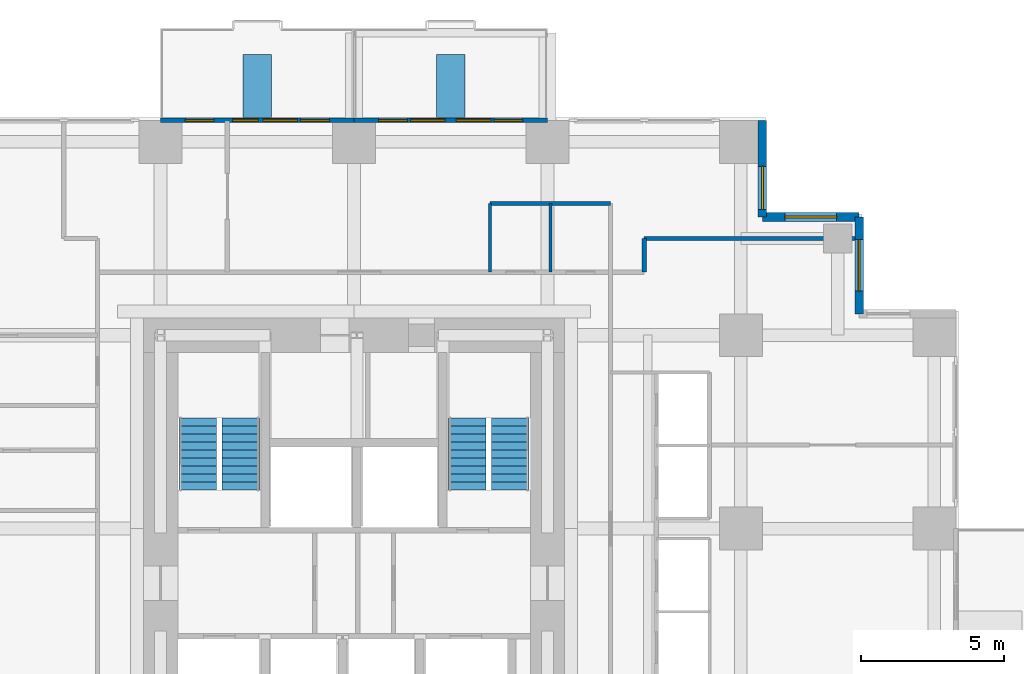
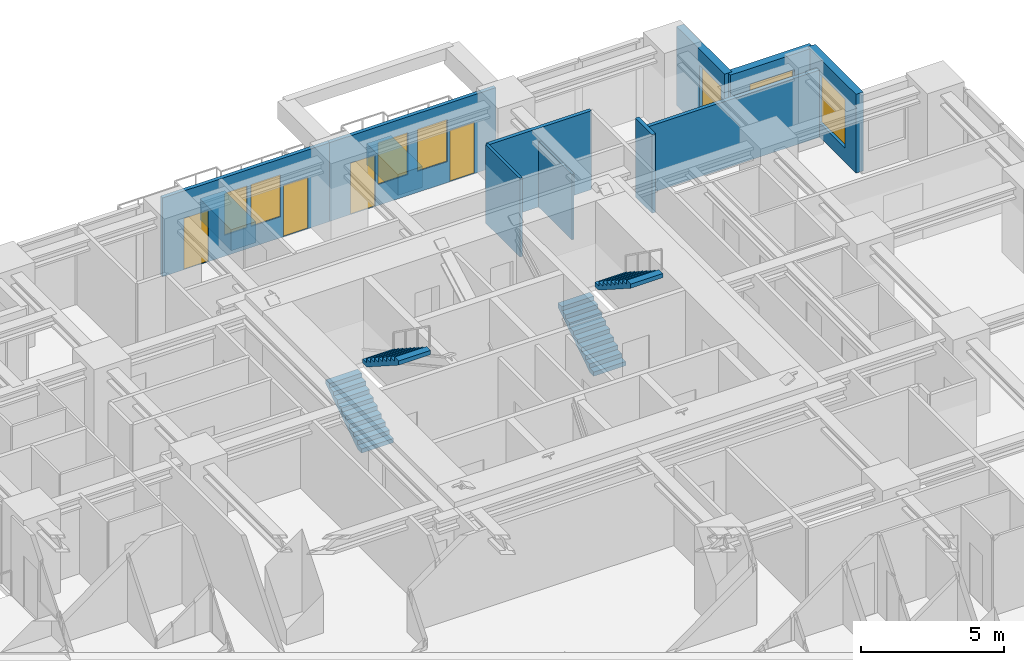
# One storey, part 9 of 11: 12 walls, 7 windows, 4 doors, 4 stair flights, 11 openings, 2 elements without a shape of their own.
"""IFC4 building model written with IfcOpenShell, lengths in metres."""

from ifc_helpers import new_model, si_unit, direction, frame, frame_2d, origin, place, context, subcontext, project, spatial, polyline, rectangle, outline, extrude, material, layer, layer_set, type_object, element, fill, aggregate, save


model = new_model("IFC4")

# Units and contexts
model_context = context("Model", 3, precision=1e-05, world=origin(), true_north=direction((0.0, 1.0)))
body_context = subcontext(model_context, "Body", "Model", "MODEL_VIEW")
ifc_project = project(units=[si_unit("LENGTHUNIT", "METRE"), si_unit("AREAUNIT", "SQUARE_METRE"), si_unit("VOLUMEUNIT", "CUBIC_METRE"), si_unit("PLANEANGLEUNIT", "RADIAN"), si_unit("MASSUNIT", "GRAM", prefix="KILO")], contexts=[model_context])

# Site, building, storey
site_placement = place(None, origin())
site = spatial("IfcSite", under=ifc_project, at=site_placement, CompositionType="ELEMENT")
building_placement = place(site_placement, origin())
building = spatial("IfcBuilding", under=site, at=building_placement, Name="Nyansa Garden Tower", CompositionType="ELEMENT")
storey_placement = place(building_placement, frame((0.0, 0.0, 108.89990234375)))
storey = spatial("IfcBuildingStorey", under=building, at=storey_placement, Name="L29", CompositionType="ELEMENT", Elevation=108.89990234375)

# Wall, openings, doors, windows
ifc_material_1 = material(Name="Black aluminium framed glazed screen", Category="aluminium")
ifc_layer_1 = layer(ifc_material_1, 0.14990234375)
ifc_layer_set_1 = layer_set([ifc_layer_1], Name="Balcony screen wall BW150")
wall_type_1 = type_object("IfcWallType", Name="Balcony screen wall BW150", PredefinedType="SOLIDWALL", material=ifc_layer_set_1)
wall_1_placement = place(storey_placement, frame((13.5, 34.5, 0.0), z_axis=(0.0, 0.0, 1.0), x_axis=(1.0, 0.0, 0.0)))
wall_1 = element("IfcWall", 1, at=wall_1_placement, inside=storey, type_object=wall_type_1, Name="Glazed screen wall L29 N", PredefinedType="SOLIDWALL", context=body_context, shape_type="SweptSolid", body=[
    extrude(rectangle(XDim=6.75, YDim=0.14990234375, at=frame_2d((3.375, 0.0))), origin(), (0.0, 0.0, 1.0), 3.375),
])
opening_1_placement = place(wall_1_placement, frame((0.862548828125, 0.0, 0.0)))
opening_1 = element("IfcOpeningElement", 2, at=opening_1_placement, cuts=wall_1, Name="Opening D20", PredefinedType="OPENING", context=body_context, shape_type="SweptSolid", body=[
    extrude(rectangle(XDim=1.0, YDim=2.199951171875, at=frame_2d((0.5, 1.10009765625))), frame((0.0, 0.0849609375, 0.0), z_axis=(0.0, -1.0, 0.0), x_axis=(1.0, 0.0, 0.0)), (0.0, 0.0, 1.0), 0.169921875),
])
opening_2_placement = place(wall_1_placement, frame((2.511962890625, 0.0, 0.89990234375)))
opening_2 = element("IfcOpeningElement", 3, at=opening_2_placement, cuts=wall_1, Name="Opening W7", PredefinedType="OPENING", context=body_context, shape_type="SweptSolid", body=[
    extrude(rectangle(XDim=0.89990234375, YDim=1.800048828125, at=frame_2d((0.449951171875, 0.89990234375))), frame((0.0, 0.0849609375, 0.0), z_axis=(0.0, -1.0, 0.0), x_axis=(1.0, 0.0, 0.0)), (0.0, 0.0, 1.0), 0.169921875),
])
opening_3_placement = place(wall_1_placement, frame((4.887451171875, 0.0, 0.0)))
opening_3 = element("IfcOpeningElement", 4, at=opening_3_placement, cuts=wall_1, Name="Opening D20", PredefinedType="OPENING", context=body_context, shape_type="SweptSolid", body=[
    extrude(rectangle(XDim=1.0, YDim=2.199951171875, at=frame_2d((0.5, 1.10009765625))), frame((0.0, 0.0849609375, 0.0), z_axis=(0.0, -1.0, 0.0), x_axis=(1.0, 0.0, 0.0)), (0.0, 0.0, 1.0), 0.169921875),
])
opening_4_placement = place(wall_1_placement, frame((3.574951171875, 0.0, 0.89990234375)))
opening_4 = element("IfcOpeningElement", 5, at=opening_4_placement, cuts=wall_1, Name="Opening W6", PredefinedType="OPENING", context=body_context, shape_type="SweptSolid", body=[
    extrude(rectangle(XDim=1.199951171875, YDim=1.800048828125, at=frame_2d((0.60009765625, 0.89990234375))), frame((0.0, 0.0849609375, 0.0), z_axis=(0.0, -1.0, 0.0), x_axis=(1.0, 0.0, 0.0)), (0.0, 0.0, 1.0), 0.169921875),
])
ifc_material_2 = material(Name="Black aluminium framed glazed door", Category="aluminium")
door_type = type_object("IfcDoorType", Name="Balcony door D20 1000x2200", OperationType="NOTDEFINED", PredefinedType="DOOR", material=ifc_material_2)
door_1_placement = place(opening_1_placement, origin())
door_1 = element("IfcDoor", 6, at=door_1_placement, inside=storey, type_object=door_type, Name="Balcony door L29", OperationType="SINGLE_SWING_LEFT", OverallHeight=2.199951171875, OverallWidth=1.0, PredefinedType="DOOR", context=body_context, shape_type="SweptSolid", body=[
    extrude(rectangle(XDim=1.0, YDim=2.199951171875, at=frame_2d((0.5, 1.10009765625))), frame((0.0, 0.02490234375, 0.0), z_axis=(0.0, -1.0, 0.0), x_axis=(1.0, 0.0, 0.0)), (0.0, 0.0, 1.0), 0.050048828125),
])
fill(opening_1, door_1)
door_2_placement = place(opening_3_placement, origin())
door_2 = element("IfcDoor", 7, at=door_2_placement, inside=storey, type_object=door_type, Name="Balcony door L29", OperationType="SINGLE_SWING_RIGHT", OverallHeight=2.199951171875, OverallWidth=1.0, PredefinedType="DOOR", context=body_context, shape_type="SweptSolid", body=[
    extrude(rectangle(XDim=1.0, YDim=2.199951171875, at=frame_2d((0.5, 1.10009765625))), frame((0.0, 0.02490234375, 0.0), z_axis=(0.0, -1.0, 0.0), x_axis=(1.0, 0.0, 0.0)), (0.0, 0.0, 1.0), 0.050048828125),
])
fill(opening_3, door_2)
ifc_material_3 = material(Name="Black aluminium frame, dark tinted double glazing", Category="aluminium")
window_type_1 = type_object("IfcWindowType", Name="Balcony window W6 1200x1800", PartitioningType="SINGLE_PANEL", PredefinedType="WINDOW", material=ifc_material_3)
window_1_placement = place(opening_4_placement, origin())
window_1 = element("IfcWindow", 8, at=window_1_placement, inside=storey, type_object=window_type_1, Name="Window L29", OverallHeight=1.800048828125, OverallWidth=1.199951171875, PartitioningType="SINGLE_PANEL", PredefinedType="WINDOW", context=body_context, shape_type="SweptSolid", body=[
    extrude(rectangle(XDim=1.199951171875, YDim=1.800048828125, at=frame_2d((0.60009765625, 0.89990234375))), frame((0.0, 0.030029296875, 0.0), z_axis=(0.0, -1.0, 0.0), x_axis=(1.0, 0.0, 0.0)), (0.0, 0.0, 1.0), 0.06005859375),
])
fill(opening_4, window_1)
ifc_material_4 = material(Name="Black aluminium frame, dark tinted double glazing", Category="aluminium")
window_type_2 = type_object("IfcWindowType", Name="Balcony window W7 900x1800", PartitioningType="SINGLE_PANEL", PredefinedType="WINDOW", material=ifc_material_4)
window_2_placement = place(opening_2_placement, origin())
window_2 = element("IfcWindow", 9, at=window_2_placement, inside=storey, type_object=window_type_2, Name="Window L29", OverallHeight=1.800048828125, OverallWidth=0.89990234375, PartitioningType="SINGLE_PANEL", PredefinedType="WINDOW", context=body_context, shape_type="SweptSolid", body=[
    extrude(rectangle(XDim=0.89990234375, YDim=1.800048828125, at=frame_2d((0.449951171875, 0.89990234375))), frame((0.0, 0.030029296875, 0.0), z_axis=(0.0, -1.0, 0.0), x_axis=(1.0, 0.0, 0.0)), (0.0, 0.0, 1.0), 0.06005859375),
])
fill(opening_2, window_2)

wall_2_placement = place(storey_placement, frame((20.25, 34.5, 0.0), z_axis=(0.0, 0.0, 1.0), x_axis=(1.0, 0.0, 0.0)))
wall_2 = element("IfcWall", 10, at=wall_2_placement, inside=storey, type_object=wall_type_1, Name="Glazed screen wall L29 N", PredefinedType="SOLIDWALL", context=body_context, shape_type="SweptSolid", body=[
    extrude(rectangle(XDim=6.75, YDim=0.14990234375, at=frame_2d((3.375, 0.0))), origin(), (0.0, 0.0, 1.0), 3.375),
])
opening_5_placement = place(wall_2_placement, frame((0.862548828125, 0.0, 0.0)))
opening_5 = element("IfcOpeningElement", 11, at=opening_5_placement, cuts=wall_2, Name="Opening D20", PredefinedType="OPENING", context=body_context, shape_type="SweptSolid", body=[
    extrude(rectangle(XDim=1.0, YDim=2.199951171875, at=frame_2d((0.5, 1.10009765625))), frame((0.0, 0.0849609375, 0.0), z_axis=(0.0, -1.0, 0.0), x_axis=(1.0, 0.0, 0.0)), (0.0, 0.0, 1.0), 0.169921875),
])
opening_6_placement = place(wall_2_placement, frame((1.97509765625, 0.0, 0.89990234375)))
opening_6 = element("IfcOpeningElement", 12, at=opening_6_placement, cuts=wall_2, Name="Opening W6", PredefinedType="OPENING", context=body_context, shape_type="SweptSolid", body=[
    extrude(rectangle(XDim=1.199951171875, YDim=1.800048828125, at=frame_2d((0.60009765625, 0.89990234375))), frame((0.0, 0.0849609375, 0.0), z_axis=(0.0, -1.0, 0.0), x_axis=(1.0, 0.0, 0.0)), (0.0, 0.0, 1.0), 0.169921875),
])
opening_7_placement = place(wall_2_placement, frame((4.887451171875, 0.0, 0.0)))
opening_7 = element("IfcOpeningElement", 13, at=opening_7_placement, cuts=wall_2, Name="Opening D20", PredefinedType="OPENING", context=body_context, shape_type="SweptSolid", body=[
    extrude(rectangle(XDim=1.0, YDim=2.199951171875, at=frame_2d((0.5, 1.10009765625))), frame((0.0, 0.0849609375, 0.0), z_axis=(0.0, -1.0, 0.0), x_axis=(1.0, 0.0, 0.0)), (0.0, 0.0, 1.0), 0.169921875),
])
opening_8_placement = place(wall_2_placement, frame((3.574951171875, 0.0, 0.89990234375)))
opening_8 = element("IfcOpeningElement", 14, at=opening_8_placement, cuts=wall_2, Name="Opening W6", PredefinedType="OPENING", context=body_context, shape_type="SweptSolid", body=[
    extrude(rectangle(XDim=1.199951171875, YDim=1.800048828125, at=frame_2d((0.60009765625, 0.89990234375))), frame((0.0, 0.0849609375, 0.0), z_axis=(0.0, -1.0, 0.0), x_axis=(1.0, 0.0, 0.0)), (0.0, 0.0, 1.0), 0.169921875),
])
door_3_placement = place(opening_5_placement, origin())
door_3 = element("IfcDoor", 15, at=door_3_placement, inside=storey, type_object=door_type, Name="Balcony door L29", OperationType="SINGLE_SWING_LEFT", OverallHeight=2.199951171875, OverallWidth=1.0, PredefinedType="DOOR", context=body_context, shape_type="SweptSolid", body=[
    extrude(rectangle(XDim=1.0, YDim=2.199951171875, at=frame_2d((0.5, 1.10009765625))), frame((0.0, 0.02490234375, 0.0), z_axis=(0.0, -1.0, 0.0), x_axis=(1.0, 0.0, 0.0)), (0.0, 0.0, 1.0), 0.050048828125),
])
fill(opening_5, door_3)
door_4_placement = place(opening_7_placement, origin())
door_4 = element("IfcDoor", 16, at=door_4_placement, inside=storey, type_object=door_type, Name="Balcony door L29", OperationType="SINGLE_SWING_RIGHT", OverallHeight=2.199951171875, OverallWidth=1.0, PredefinedType="DOOR", context=body_context, shape_type="SweptSolid", body=[
    extrude(rectangle(XDim=1.0, YDim=2.199951171875, at=frame_2d((0.5, 1.10009765625))), frame((0.0, 0.02490234375, 0.0), z_axis=(0.0, -1.0, 0.0), x_axis=(1.0, 0.0, 0.0)), (0.0, 0.0, 1.0), 0.050048828125),
])
fill(opening_7, door_4)
window_3_placement = place(opening_6_placement, origin())
window_3 = element("IfcWindow", 17, at=window_3_placement, inside=storey, type_object=window_type_1, Name="Window L29", OverallHeight=1.800048828125, OverallWidth=1.199951171875, PartitioningType="SINGLE_PANEL", PredefinedType="WINDOW", context=body_context, shape_type="SweptSolid", body=[
    extrude(rectangle(XDim=1.199951171875, YDim=1.800048828125, at=frame_2d((0.60009765625, 0.89990234375))), frame((0.0, 0.030029296875, 0.0), z_axis=(0.0, -1.0, 0.0), x_axis=(1.0, 0.0, 0.0)), (0.0, 0.0, 1.0), 0.06005859375),
])
fill(opening_6, window_3)
window_4_placement = place(opening_8_placement, origin())
window_4 = element("IfcWindow", 18, at=window_4_placement, inside=storey, type_object=window_type_1, Name="Window L29", OverallHeight=1.800048828125, OverallWidth=1.199951171875, PartitioningType="SINGLE_PANEL", PredefinedType="WINDOW", context=body_context, shape_type="SweptSolid", body=[
    extrude(rectangle(XDim=1.199951171875, YDim=1.800048828125, at=frame_2d((0.60009765625, 0.89990234375))), frame((0.0, 0.030029296875, 0.0), z_axis=(0.0, -1.0, 0.0), x_axis=(1.0, 0.0, 0.0)), (0.0, 0.0, 1.0), 0.06005859375),
])
fill(opening_8, window_4)

# Walls
ifc_material_5 = material(Name="Blockwork, plastered both sides", Category="masonry")
ifc_layer_2 = layer(ifc_material_5, 0.14990234375)
ifc_layer_set_2 = layer_set([ifc_layer_2], Name="Partition PW150")
wall_type_2 = type_object("IfcWallType", Name="Partition PW150", PredefinedType="PARTITIONING", material=ifc_layer_set_2)
wall_3_placement = place(storey_placement, frame((25.0, 31.60009765625, 0.0), z_axis=(0.0, 0.0, 1.0), x_axis=(1.0, 0.0, 0.0)))
element("IfcWall", 19, at=wall_3_placement, inside=storey, type_object=wall_type_2, Name="Partition", PredefinedType="PARTITIONING", context=body_context, shape_type="SweptSolid", body=[
    extrude(rectangle(XDim=4.199951171875, YDim=0.14990234375, at=frame_2d((2.10009765625, 0.0))), origin(), (0.0, 0.0, 1.0), 3.375),
])
wall_4_placement = place(storey_placement, frame((30.375, 29.199951171875, 0.0), z_axis=(0.0, 0.0, 1.0), x_axis=(0.0, 1.0, 0.0)))
element("IfcWall", 20, at=wall_4_placement, inside=storey, type_object=wall_type_2, Name="Partition", PredefinedType="PARTITIONING", context=body_context, shape_type="SweptSolid", body=[
    extrude(rectangle(XDim=1.175048828125, YDim=0.14990234375, at=frame_2d((0.58740234375, 0.0))), origin(), (0.0, 0.0, 1.0), 3.375),
])
wall_5_placement = place(storey_placement, frame((30.375, 30.375, 0.0), z_axis=(0.0, 0.0, 1.0), x_axis=(1.0, 0.0, 0.0)))
element("IfcWall", 21, at=wall_5_placement, inside=storey, type_object=wall_type_2, Name="Partition", PredefinedType="PARTITIONING", context=body_context, shape_type="SweptSolid", body=[
    extrude(rectangle(XDim=7.35009765625, YDim=0.14990234375, at=frame_2d((3.675048828125, 0.0))), origin(), (0.0, 0.0, 1.0), 2.877197265625),
])

# Wall, opening, window
ifc_material_6 = material(Name="Turquoise glazed tile on concrete blockwork", Category="masonry")
ifc_layer_3 = layer(ifc_material_6, 0.300048828125)
ifc_layer_set_3 = layer_set([ifc_layer_3], Name="Tiled corner wall TW300")
wall_type_3 = type_object("IfcWallType", Name="Tiled corner wall TW300", PredefinedType="SOLIDWALL", material=ifc_layer_set_3)
wall_6_placement = place(storey_placement, frame((37.875, 27.75, 0.0), z_axis=(0.0, 0.0, 1.0), x_axis=(0.0, 1.0, 0.0)))
wall_6 = element("IfcWall", 22, at=wall_6_placement, inside=storey, type_object=wall_type_3, Name="Tiled corner wall L29", PredefinedType="SOLIDWALL", context=body_context, shape_type="SweptSolid", body=[
    extrude(rectangle(XDim=3.375, YDim=0.300048828125, at=frame_2d((1.6875, 0.0))), origin(), (0.0, 0.0, 1.0), 3.375),
])
opening_9_placement = place(wall_6_placement, frame((0.78759765625, 0.0, 0.60009765625)))
opening_9 = element("IfcOpeningElement", 23, at=opening_9_placement, cuts=wall_6, Name="Opening W2", PredefinedType="OPENING", context=body_context, shape_type="SweptSolid", body=[
    extrude(rectangle(XDim=1.800048828125, YDim=2.10009765625, at=frame_2d((0.89990234375, 1.050048828125))), frame((0.0, 0.159912109375, 0.0), z_axis=(0.0, -1.0, 0.0), x_axis=(1.0, 0.0, 0.0)), (0.0, 0.0, 1.0), 0.320068359375),
])
ifc_material_7 = material(Name="Black aluminium frame, dark tinted double glazing", Category="aluminium")
window_type_3 = type_object("IfcWindowType", Name="Window W2 1800x2100", PartitioningType="SINGLE_PANEL", PredefinedType="WINDOW", material=ifc_material_7)
window_5_placement = place(opening_9_placement, origin())
window_5 = element("IfcWindow", 24, at=window_5_placement, inside=storey, type_object=window_type_3, Name="Corner window L29", OverallHeight=2.10009765625, OverallWidth=1.800048828125, PartitioningType="SINGLE_PANEL", PredefinedType="WINDOW", context=body_context, shape_type="SweptSolid", body=[
    extrude(rectangle(XDim=1.800048828125, YDim=2.10009765625, at=frame_2d((0.89990234375, 1.050048828125))), frame((0.0, 0.030029296875, 0.0), z_axis=(0.0, -1.0, 0.0), x_axis=(1.0, 0.0, 0.0)), (0.0, 0.0, 1.0), 0.06005859375),
])
fill(opening_9, window_5)

wall_7_placement = place(storey_placement, frame((37.875, 31.125, 0.0), z_axis=(0.0, 0.0, 1.0), x_axis=(-1.0, 0.0, 0.0)))
wall_7 = element("IfcWall", 25, at=wall_7_placement, inside=storey, type_object=wall_type_3, Name="Tiled corner wall L29", PredefinedType="SOLIDWALL", context=body_context, shape_type="SweptSolid", body=[
    extrude(rectangle(XDim=3.375, YDim=0.300048828125, at=frame_2d((1.6875, 0.0))), origin(), (0.0, 0.0, 1.0), 3.375),
])
opening_10_placement = place(wall_7_placement, frame((0.78759765625, 0.0, 0.60009765625)))
opening_10 = element("IfcOpeningElement", 26, at=opening_10_placement, cuts=wall_7, Name="Opening W2", PredefinedType="OPENING", context=body_context, shape_type="SweptSolid", body=[
    extrude(rectangle(XDim=1.800048828125, YDim=2.10009765625, at=frame_2d((0.89990234375, 1.050048828125))), frame((0.0, 0.159912109375, 0.0), z_axis=(0.0, -1.0, 0.0), x_axis=(1.0, 0.0, 0.0)), (0.0, 0.0, 1.0), 0.320068359375),
])
window_6_placement = place(opening_10_placement, origin())
window_6 = element("IfcWindow", 27, at=window_6_placement, inside=storey, type_object=window_type_3, Name="Corner window L29", OverallHeight=2.10009765625, OverallWidth=1.800048828125, PartitioningType="SINGLE_PANEL", PredefinedType="WINDOW", context=body_context, shape_type="SweptSolid", body=[
    extrude(rectangle(XDim=1.800048828125, YDim=2.10009765625, at=frame_2d((0.89990234375, 1.050048828125))), frame((0.0, 0.030029296875, 0.0), z_axis=(0.0, -1.0, 0.0), x_axis=(1.0, 0.0, 0.0)), (0.0, 0.0, 1.0), 0.06005859375),
])
fill(opening_10, window_6)

wall_8_placement = place(storey_placement, frame((34.5, 31.125, 0.0), z_axis=(0.0, 0.0, 1.0), x_axis=(0.0, 1.0, 0.0)))
wall_8 = element("IfcWall", 28, at=wall_8_placement, inside=storey, type_object=wall_type_3, Name="Tiled corner wall L29", PredefinedType="SOLIDWALL", context=body_context, shape_type="SweptSolid", body=[
    extrude(rectangle(XDim=3.375, YDim=0.300048828125, at=frame_2d((1.6875, 0.0))), origin(), (0.0, 0.0, 1.0), 3.375),
])
opening_11_placement = place(wall_8_placement, frame((0.267578125, 0.0, 0.89990234375)))
opening_11 = element("IfcOpeningElement", 29, at=opening_11_placement, cuts=wall_8, Name="Opening W1", PredefinedType="OPENING", context=body_context, shape_type="SweptSolid", body=[
    extrude(rectangle(XDim=1.5, YDim=1.800048828125, at=frame_2d((0.75, 0.89990234375))), frame((0.0, 0.159912109375, 0.0), z_axis=(0.0, -1.0, 0.0), x_axis=(1.0, 0.0, 0.0)), (0.0, 0.0, 1.0), 0.320068359375),
])
ifc_material_8 = material(Name="Black aluminium frame, dark tinted double glazing", Category="aluminium")
window_type_4 = type_object("IfcWindowType", Name="Window W1 1500x1800", PartitioningType="SINGLE_PANEL", PredefinedType="WINDOW", material=ifc_material_8)
window_7_placement = place(opening_11_placement, origin())
window_7 = element("IfcWindow", 30, at=window_7_placement, inside=storey, type_object=window_type_4, Name="Corner window L29", OverallHeight=1.800048828125, OverallWidth=1.5, PartitioningType="SINGLE_PANEL", PredefinedType="WINDOW", context=body_context, shape_type="SweptSolid", body=[
    extrude(rectangle(XDim=1.5, YDim=1.800048828125, at=frame_2d((0.75, 0.89990234375))), frame((0.0, 0.030029296875, 0.0), z_axis=(0.0, -1.0, 0.0), x_axis=(1.0, 0.0, 0.0)), (0.0, 0.0, 1.0), 0.06005859375),
])
fill(opening_11, window_7)

# Walls
ifc_material_9 = material(Name="Concrete C40/50 planter, waterproofed", Category="concrete")
ifc_layer_4 = layer(ifc_material_9, 1.0)
ifc_layer_set_4 = layer_set([ifc_layer_4], Name="Tree planter TP1")
wall_type_4 = type_object("IfcWallType", Name="Tree planter TP1", PredefinedType="USERDEFINED", material=ifc_layer_set_4)
for number, where, z_axis, x_axis, name in (
    (31, (16.875, 34.60009765625, 0.0), (0.0, 0.0, 1.0), (0.0, 1.0, 0.0), "Tree planter L29"),
    (32, (23.625, 34.60009765625, 0.0), (0.0, 0.0, 1.0), (0.0, 1.0, 0.0), "Tree planter L29"),
):
    element("IfcWall", number, at=place(storey_placement, frame(where, z_axis=z_axis, x_axis=x_axis)), inside=storey, type_object=wall_type_4, Name=name, ObjectType="TREE PLANTER", PredefinedType="USERDEFINED", context=body_context, shape_type="SweptSolid", body=[
        extrude(rectangle(XDim=2.199951171875, YDim=1.0, at=frame_2d((1.10009765625, 0.0))), origin(), (0.0, 0.0, 1.0), 0.900146484375),
    ])
ifc_material_10 = material(Name="Moisture resistant board on steel studs, tiled", Category="steel")
ifc_layer_5 = layer(ifc_material_10, 0.10009765625)
ifc_layer_set_5 = layer_set([ifc_layer_5], Name="Wet wall PW100")
wall_type_5 = type_object("IfcWallType", Name="Wet wall PW100", PredefinedType="PARTITIONING", material=ifc_layer_set_5)
wall_9_placement = place(storey_placement, frame((25.0, 29.199951171875, 0.0), z_axis=(0.0, 0.0, 1.0), x_axis=(0.0, 1.0, 0.0)))
element("IfcWall", 33, at=wall_9_placement, inside=storey, type_object=wall_type_5, Name="Wet wall", PredefinedType="PARTITIONING", context=body_context, shape_type="SweptSolid", body=[
    extrude(rectangle(XDim=2.400146484375, YDim=0.10009765625, at=frame_2d((1.2001953125, 0.0))), origin(), (0.0, 0.0, 1.0), 3.375),
])
wall_10_placement = place(storey_placement, frame((27.10009765625, 29.199951171875, 0.0), z_axis=(0.0, 0.0, 1.0), x_axis=(0.0, 1.0, 0.0)))
element("IfcWall", 34, at=wall_10_placement, inside=storey, type_object=wall_type_5, Name="Wet wall", PredefinedType="PARTITIONING", context=body_context, shape_type="SweptSolid", body=[
    extrude(rectangle(XDim=2.400146484375, YDim=0.10009765625, at=frame_2d((1.2001953125, 0.0))), origin(), (0.0, 0.0, 1.0), 2.80615234375),
])

# Stair, stair flights
ifc_material_11 = material(Name="Precast concrete C40/50", Category="concrete")
stair_type_1 = type_object("IfcStairType", Name="Stair S1 180x280", PredefinedType="HALF_TURN_STAIR", material=ifc_material_11)
stair_1_placement = place(storey_placement, origin())
stair_1 = element("IfcStair", 35, at=stair_1_placement, inside=storey, type_object=stair_type_1, Name="Stair S1 L29", PredefinedType="HALF_TURN_STAIR")
ifc_material_12 = material(Name="Precast concrete C40/50", Category="concrete")
stair_flight_type_1 = type_object("IfcStairFlightType", Name="Stair flight S1 180x280x10", PredefinedType="STRAIGHT", material=ifc_material_12)
stair_flight_1_placement = place(storey_placement, frame((14.800048828125, 21.60009765625, 0.0), z_axis=(0.0, 0.0, 1.0), x_axis=(0.0, 1.0, 0.0)))
stair_flight_1 = element("IfcStairFlight", 36, at=stair_flight_1_placement, type_object=stair_flight_type_1, Name="S1 flight 1", NumberOfRisers=10, NumberOfTreads=9, PredefinedType="STRAIGHT", RiserHeight=0.18, TreadLength=0.28, context=body_context, shape_type="SweptSolid", body=[
    extrude(outline(polyline([(0.0, 0.0), (0.0, 0.179931640625), (0.280029296875, 0.179931640625), (0.280029296875, 0.360107421875), (0.56005859375, 0.360107421875), (0.56005859375, 0.5400390625), (0.840087890625, 0.5400390625), (0.840087890625, 0.719970703125), (1.1201171875, 0.719970703125), (1.1201171875, 0.89990234375), (1.39990234375, 0.89990234375), (1.39990234375, 1.080078125), (1.679931640625, 1.080078125), (1.679931640625, 1.260009765625), (1.9599609375, 1.260009765625), (1.9599609375, 1.43994140625), (2.239990234375, 1.43994140625), (2.239990234375, 1.6201171875), (2.52001953125, 1.6201171875), (2.52001953125, 1.800048828125), (2.52001953125, 1.44189453125), (0.277099609375, 0.0), (0.0, 0.0)])), frame((0.0, 0.64990234375, 0.0), z_axis=(0.0, -1.0, 0.0), x_axis=(1.0, 0.0, 0.0)), (0.0, 0.0, 1.0), 1.300048828125),
])
stair_flight_2_placement = place(storey_placement, frame((16.300048828125, 24.1201171875, 1.800048828125), z_axis=(0.0, 0.0, 1.0), x_axis=(0.0, -1.0, 0.0)))
stair_flight_2 = element("IfcStairFlight", 37, at=stair_flight_2_placement, type_object=stair_flight_type_1, Name="S1 flight 2", NumberOfRisers=10, NumberOfTreads=9, PredefinedType="STRAIGHT", RiserHeight=0.18, TreadLength=0.28, context=body_context, shape_type="SweptSolid", body=[
    extrude(outline(polyline([(0.0, 0.0), (0.0, 0.179931640625), (0.280029296875, 0.179931640625), (0.280029296875, 0.360107421875), (0.56005859375, 0.360107421875), (0.56005859375, 0.5400390625), (0.840087890625, 0.5400390625), (0.840087890625, 0.719970703125), (1.1201171875, 0.719970703125), (1.1201171875, 0.89990234375), (1.39990234375, 0.89990234375), (1.39990234375, 1.080078125), (1.679931640625, 1.080078125), (1.679931640625, 1.260009765625), (1.9599609375, 1.260009765625), (1.9599609375, 1.43994140625), (2.239990234375, 1.43994140625), (2.239990234375, 1.6201171875), (2.52001953125, 1.6201171875), (2.52001953125, 1.800048828125), (2.52001953125, 1.44189453125), (0.277099609375, 0.0), (0.0, 0.0)])), frame((0.0, 0.64990234375, 0.0), z_axis=(0.0, -1.0, 0.0), x_axis=(1.0, 0.0, 0.0)), (0.0, 0.0, 1.0), 1.300048828125),
])
aggregate(stair_1, [stair_flight_1, stair_flight_2])

ifc_material_13 = material(Name="Precast concrete C40/50", Category="concrete")
stair_type_2 = type_object("IfcStairType", Name="Stair S2 180x280", PredefinedType="HALF_TURN_STAIR", material=ifc_material_13)
stair_2_placement = place(storey_placement, origin())
stair_2 = element("IfcStair", 38, at=stair_2_placement, inside=storey, type_object=stair_type_2, Name="Stair S2 L29", PredefinedType="HALF_TURN_STAIR")
ifc_material_14 = material(Name="Precast concrete C40/50", Category="concrete")
stair_flight_type_2 = type_object("IfcStairFlightType", Name="Stair flight S2 180x280x10", PredefinedType="STRAIGHT", material=ifc_material_14)
stair_flight_3_placement = place(storey_placement, frame((24.199951171875, 21.60009765625, 0.0), z_axis=(0.0, 0.0, 1.0), x_axis=(0.0, 1.0, 0.0)))
stair_flight_3 = element("IfcStairFlight", 39, at=stair_flight_3_placement, type_object=stair_flight_type_2, Name="S2 flight 1", NumberOfRisers=10, NumberOfTreads=9, PredefinedType="STRAIGHT", RiserHeight=0.18, TreadLength=0.28, context=body_context, shape_type="SweptSolid", body=[
    extrude(outline(polyline([(0.0, 0.0), (0.0, 0.179931640625), (0.280029296875, 0.179931640625), (0.280029296875, 0.360107421875), (0.56005859375, 0.360107421875), (0.56005859375, 0.5400390625), (0.840087890625, 0.5400390625), (0.840087890625, 0.719970703125), (1.1201171875, 0.719970703125), (1.1201171875, 0.89990234375), (1.39990234375, 0.89990234375), (1.39990234375, 1.080078125), (1.679931640625, 1.080078125), (1.679931640625, 1.260009765625), (1.9599609375, 1.260009765625), (1.9599609375, 1.43994140625), (2.239990234375, 1.43994140625), (2.239990234375, 1.6201171875), (2.52001953125, 1.6201171875), (2.52001953125, 1.800048828125), (2.52001953125, 1.44189453125), (0.277099609375, 0.0), (0.0, 0.0)])), frame((0.0, 0.64990234375, 0.0), z_axis=(0.0, -1.0, 0.0), x_axis=(1.0, 0.0, 0.0)), (0.0, 0.0, 1.0), 1.300048828125),
])
stair_flight_4_placement = place(storey_placement, frame((25.699951171875, 24.1201171875, 1.800048828125), z_axis=(0.0, 0.0, 1.0), x_axis=(0.0, -1.0, 0.0)))
stair_flight_4 = element("IfcStairFlight", 40, at=stair_flight_4_placement, type_object=stair_flight_type_2, Name="S2 flight 2", NumberOfRisers=10, NumberOfTreads=9, PredefinedType="STRAIGHT", RiserHeight=0.18, TreadLength=0.28, context=body_context, shape_type="SweptSolid", body=[
    extrude(outline(polyline([(0.0, 0.0), (0.0, 0.179931640625), (0.280029296875, 0.179931640625), (0.280029296875, 0.360107421875), (0.56005859375, 0.360107421875), (0.56005859375, 0.5400390625), (0.840087890625, 0.5400390625), (0.840087890625, 0.719970703125), (1.1201171875, 0.719970703125), (1.1201171875, 0.89990234375), (1.39990234375, 0.89990234375), (1.39990234375, 1.080078125), (1.679931640625, 1.080078125), (1.679931640625, 1.260009765625), (1.9599609375, 1.260009765625), (1.9599609375, 1.43994140625), (2.239990234375, 1.43994140625), (2.239990234375, 1.6201171875), (2.52001953125, 1.6201171875), (2.52001953125, 1.800048828125), (2.52001953125, 1.44189453125), (0.277099609375, 0.0), (0.0, 0.0)])), frame((0.0, 0.64990234375, 0.0), z_axis=(0.0, -1.0, 0.0), x_axis=(1.0, 0.0, 0.0)), (0.0, 0.0, 1.0), 1.300048828125),
])
aggregate(stair_2, [stair_flight_3, stair_flight_4])

save(model, "model.ifc")
